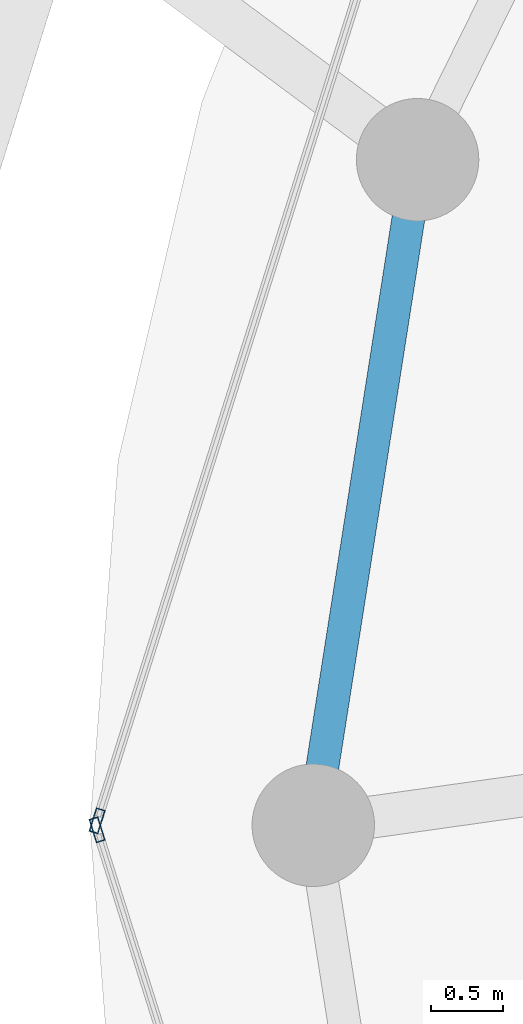
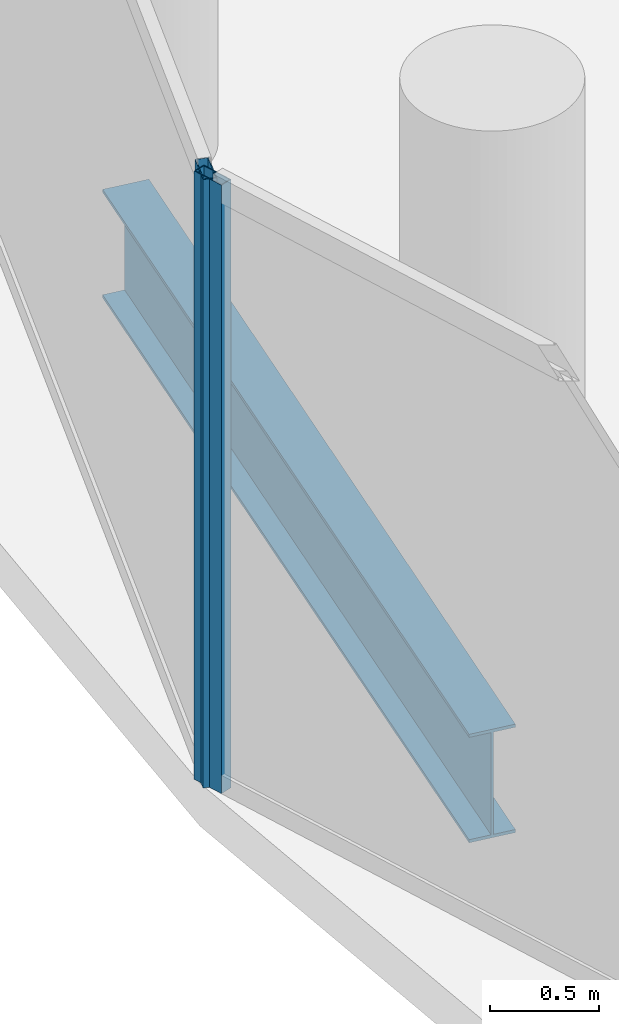
# One storey, part 7 of 27: 2 members, 1 beam, 2 elements without a shape of their own.
"""IFC4 building model written with IfcOpenShell, lengths in metres."""

from ifc_helpers import new_model, si_unit, direction, frame, origin, origin_2d, place, context, subcontext, project, spatial, hollow_rectangle, i_section, extrude, material, layer, layer_set, material_profile, profile_set, type_object, element, aggregate, save


model = new_model("IFC4")

# Units and contexts
model_context = context("Model", 3, precision=1e-05, world=origin(), true_north=direction((0.0, 1.0)))
body_context = subcontext(model_context, "Body", "Model", "MODEL_VIEW")
ifc_project = project(units=[si_unit("LENGTHUNIT", "METRE"), si_unit("AREAUNIT", "SQUARE_METRE"), si_unit("VOLUMEUNIT", "CUBIC_METRE"), si_unit("PLANEANGLEUNIT", "RADIAN"), si_unit("MASSUNIT", "GRAM", prefix="KILO")], contexts=[model_context])

# Site, building, storey
site_placement = place(None, origin())
site = spatial("IfcSite", under=ifc_project, at=site_placement, CompositionType="ELEMENT")
building_placement = place(site_placement, origin())
building = spatial("IfcBuilding", under=site, at=building_placement, Name="Nuhasar Tower", CompositionType="ELEMENT")
storey_placement = place(building_placement, frame((0.0, 0.0, 208.14990234375)))
storey = spatial("IfcBuildingStorey", under=building, at=storey_placement, Name="L50", CompositionType="ELEMENT", Elevation=208.14990234375)

# Beam
ifc_material_1 = material(Name="Steel S355", Category="steel")
ifc_material_profile_1 = material_profile(ifc_material_1, i_section(OverallWidth=0.22802734375, OverallDepth=0.60791015625, WebThickness=0.01123046875, FlangeThickness=0.017333984375, at=origin_2d()), Name="W24X76")
ifc_profile_set_1 = profile_set([ifc_material_profile_1], Name="Steel S355")
beam_type = type_object("IfcBeamType", Name="BM-RING-W24X76", PredefinedType="SPANDREL", material=ifc_profile_set_1)
beam_placement = place(storey_placement, frame((18.47412109375, 31.419921875, -0.5439453125), z_axis=(-0.154849872935, -0.987938012657, 0.0), x_axis=(0.987938012657, -0.154849872935, 0.0)))
element("IfcBeam", 1, at=beam_placement, inside=storey, type_object=beam_type, Name="L50 Perimeter Ring Spandrel 12", PredefinedType="SPANDREL", context=body_context, shape_type="SweptSolid", body=[
    extrude(i_section(OverallWidth=0.22802734375, OverallDepth=0.60791015625, WebThickness=0.01123046875, FlangeThickness=0.017333984375, at=origin_2d()), origin(), (0.0, 0.0, 1.0), 4.67626953125),
])

# Curtain wall, member
ifc_material_2 = material(Name="Aluminium 6063-T6", Category="aluminium")
ifc_layer = layer(ifc_material_2, 0.18994140625)
ifc_layer_set = layer_set([ifc_layer], Name="Aluminium 6063-T6")
curtain_wall_type = type_object("IfcCurtainWallType", Name="CW-Z3-RES", PredefinedType="NOTDEFINED", material=ifc_layer_set)
curtain_wall_1_placement = place(storey_placement, origin())
curtain_wall_1 = element("IfcCurtainWall", 2, at=curtain_wall_1_placement, inside=storey, type_object=curtain_wall_type, Name="L50 Unitised Curtain Wall 06", PredefinedType="NOTDEFINED")
ifc_material_profile_2 = material_profile(ifc_material_2, hollow_rectangle(XDim=0.06494140625, YDim=0.169921875, WallThickness=0.0048828125, at=origin_2d()), Name="CWM-4")
ifc_profile_set_2 = profile_set([ifc_material_profile_2], Name="Aluminium 6063-T6")
member_type = type_object("IfcMemberType", Name="CW-MUL-S4", PredefinedType="MULLION", material=ifc_profile_set_2)
member_1_placement = place(storey_placement, frame((16.249755859375, 26.8310546875, 0.0), z_axis=(0.0, 0.0, 1.0), x_axis=(0.95380429279, -0.30042864553, 0.0)))
member_1 = element("IfcMember", 3, at=member_1_placement, type_object=member_type, Name="CW-Z3 mullion 2", PredefinedType="MULLION", context=body_context, shape_type="SweptSolid", body=[
    extrude(hollow_rectangle(XDim=0.06494140625, YDim=0.169921875, WallThickness=0.0048828125, at=origin_2d()), origin(), (0.0, 0.0, 1.0), 3.41015625),
])
aggregate(curtain_wall_1, [member_1])

curtain_wall_2_placement = place(storey_placement, origin())
curtain_wall_2 = element("IfcCurtainWall", 4, at=curtain_wall_2_placement, inside=storey, type_object=curtain_wall_type, Name="L50 Unitised Curtain Wall 07", PredefinedType="NOTDEFINED")
member_2_placement = place(storey_placement, frame((16.249755859375, 26.76904296875, 0.0), z_axis=(0.0, 0.0, 1.0), x_axis=(0.95380429279, 0.30042864553, 0.0)))
member_2 = element("IfcMember", 5, at=member_2_placement, type_object=member_type, Name="CW-Z3 mullion 1", PredefinedType="MULLION", context=body_context, shape_type="SweptSolid", body=[
    extrude(hollow_rectangle(XDim=0.06494140625, YDim=0.169921875, WallThickness=0.0048828125, at=origin_2d()), origin(), (0.0, 0.0, 1.0), 3.41015625),
])
aggregate(curtain_wall_2, [member_2])

save(model, "model.ifc")
